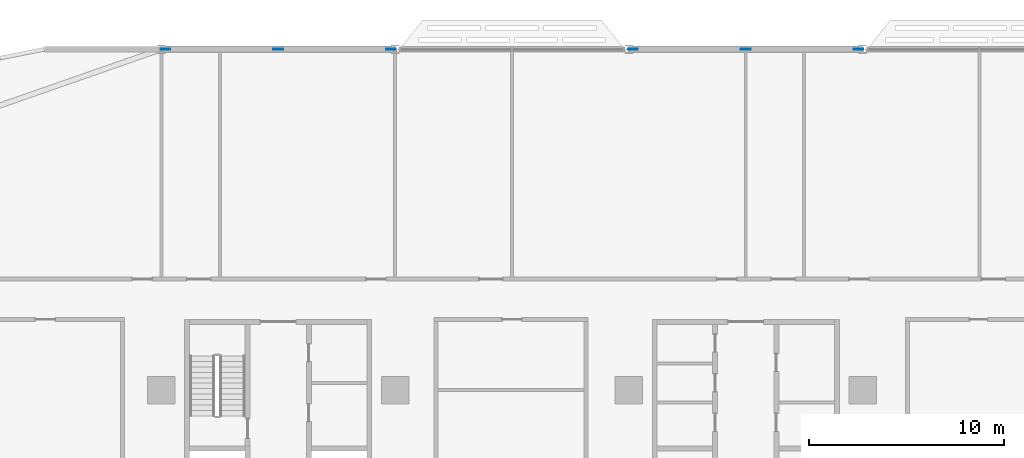
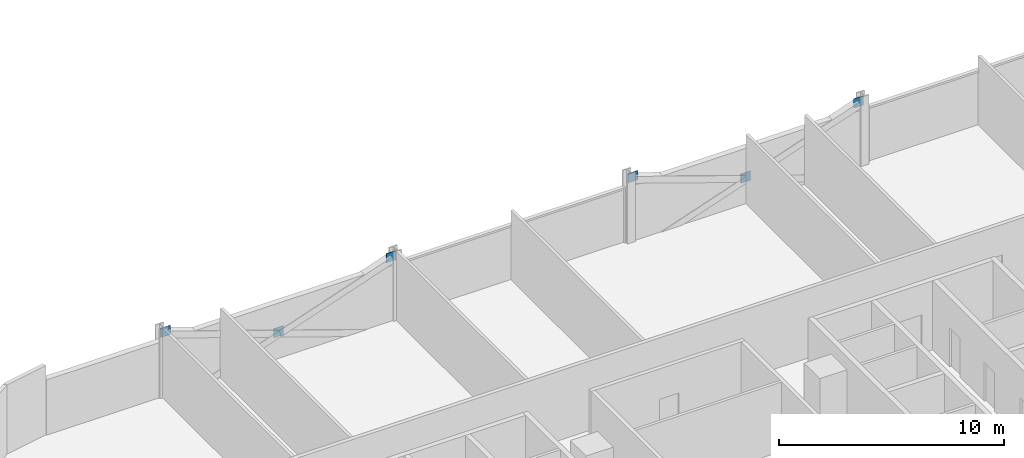
# One storey, part 20 of 29: 6 discrete accessories.
"""IFC4 building model written with IfcOpenShell, lengths in metres."""

from ifc_helpers import new_model, si_unit, direction, frame, origin, origin_2d, place, context, subcontext, project, spatial, rectangle, extrude, material, layer, layer_set, type_object, element, save


model = new_model("IFC4")

# Units and contexts
model_context = context("Model", 3, precision=1e-05, world=origin(), true_north=direction((0.0, 1.0)))
body_context = subcontext(model_context, "Body", "Model", "MODEL_VIEW")
ifc_project = project(units=[si_unit("LENGTHUNIT", "METRE"), si_unit("AREAUNIT", "SQUARE_METRE"), si_unit("VOLUMEUNIT", "CUBIC_METRE"), si_unit("PLANEANGLEUNIT", "RADIAN"), si_unit("MASSUNIT", "GRAM", prefix="KILO")], contexts=[model_context])

# Site, building, storey
site_placement = place(None, origin())
site = spatial("IfcSite", under=ifc_project, at=site_placement, CompositionType="ELEMENT")
building_placement = place(site_placement, origin())
building = spatial("IfcBuilding", under=site, at=building_placement, Name="Mahtab Terrace Research Tower", CompositionType="ELEMENT")
storey_placement = place(building_placement, frame((0.0, 0.0, 88.89990234375)))
storey = spatial("IfcBuildingStorey", under=building, at=storey_placement, Name="L20", CompositionType="ELEMENT", Elevation=88.89990234375)

# Discrete accessories
ifc_material = material(Name="Steel ASTM A992 Gr 50", Category="steel")
ifc_layer = layer(ifc_material, 0.030029296875)
ifc_layer_set = layer_set([ifc_layer], Name="Gusset plate 500x500x30")
discrete_accessory_type = type_object("IfcDiscreteAccessoryType", Name="Gusset plate 500x500x30", PredefinedType="USERDEFINED", material=ifc_layer_set)
for number, where, z_axis, x_axis, name in (
    (1, (-29.790283203125, 29.0, 3.131591796875), (0.0, 0.0, 1.0), (1.0, 0.0, 0.0), "Gusset plate"),
    (2, (-24.0, 29.0, 1.081787109375), (0.0, 0.0, 1.0), (1.0, 0.0, 0.0), "Gusset plate"),
    (3, (-18.209716796875, 29.0, 3.131591796875), (0.0, 0.0, 1.0), (1.0, 0.0, 0.0), "Gusset plate"),
    (4, (-5.790283203125, 29.0, 3.131591796875), (0.0, 0.0, 1.0), (1.0, 0.0, 0.0), "Gusset plate"),
    (5, (0.0, 29.0, 1.081787109375), (0.0, 0.0, 1.0), (1.0, 0.0, 0.0), "Gusset plate"),
    (6, (5.790283203125, 29.0, 3.131591796875), (0.0, 0.0, 1.0), (1.0, 0.0, 0.0), "Gusset plate"),
):
    element("IfcDiscreteAccessory", number, at=place(storey_placement, frame(where, z_axis=z_axis, x_axis=x_axis)), inside=storey, type_object=discrete_accessory_type, Name=name, ObjectType="GUSSET PLATE", PredefinedType="USERDEFINED", context=body_context, shape_type="SweptSolid", body=[
        extrude(rectangle(XDim=0.5, YDim=0.030029296875, at=origin_2d()), origin(), (0.0, 0.0, 1.0), 0.5),
    ])

save(model, "model.ifc")
